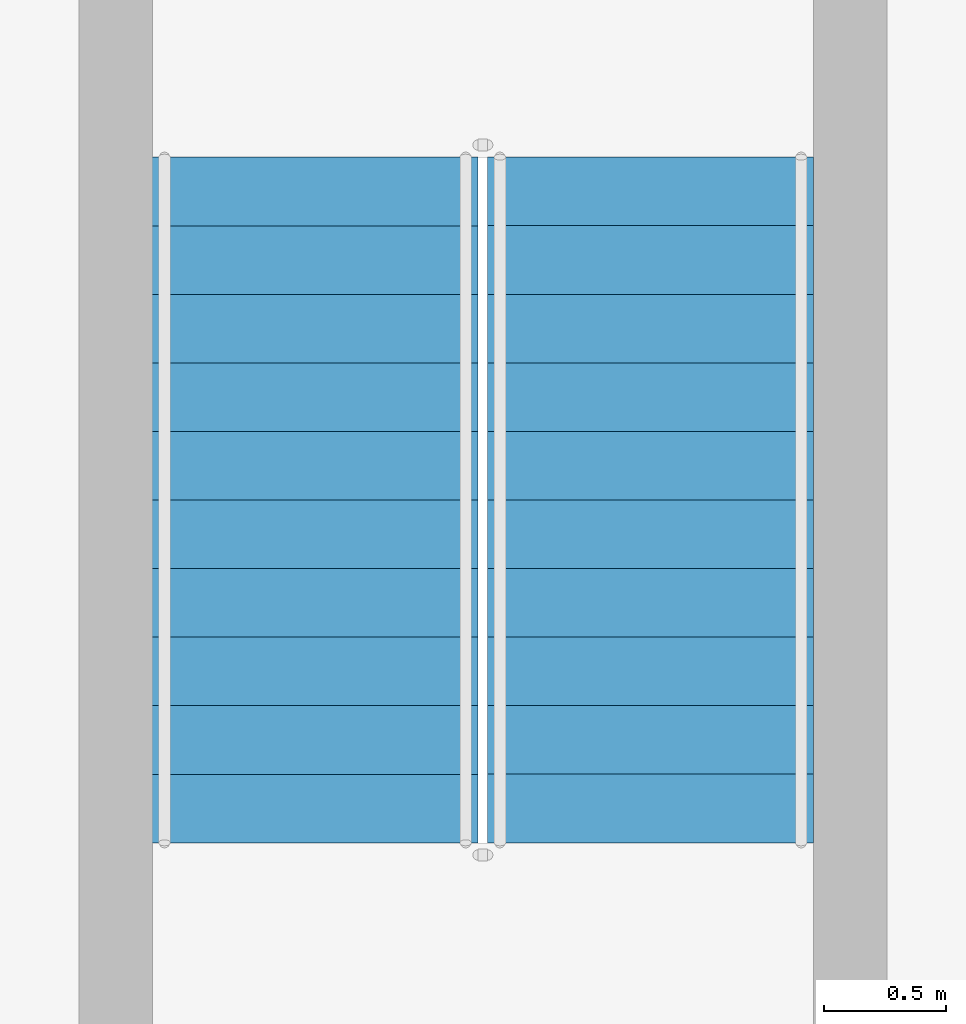
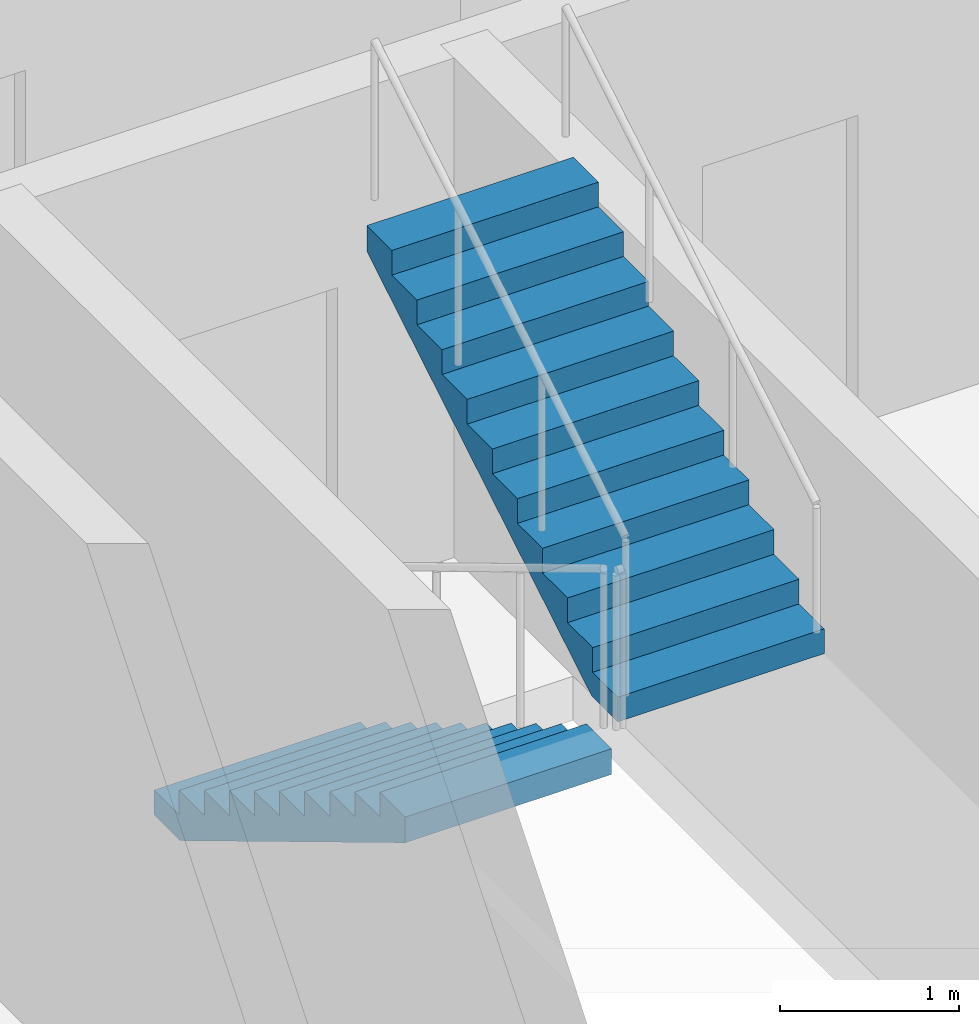
# One storey, part 15 of 22: 2 stair flights, 1 element without a shape of its own.
"""IFC4 building model written with IfcOpenShell, lengths in metres."""

from ifc_helpers import new_model, si_unit, direction, frame, origin, place, context, subcontext, project, spatial, triangles, source, transform, mapped, material, type_object, element, aggregate, save


model = new_model("IFC4")

# Units and contexts
model_context = context("Model", 3, precision=1e-05, world=origin(), true_north=direction((0.0, 1.0)))
body_context = subcontext(model_context, "Body", "Model", "MODEL_VIEW")
ifc_project = project(units=[si_unit("LENGTHUNIT", "METRE"), si_unit("AREAUNIT", "SQUARE_METRE"), si_unit("VOLUMEUNIT", "CUBIC_METRE"), si_unit("PLANEANGLEUNIT", "RADIAN"), si_unit("MASSUNIT", "GRAM", prefix="KILO")], contexts=[model_context])

# Site, building, storey
site_placement = place(None, origin())
site = spatial("IfcSite", under=ifc_project, at=site_placement, CompositionType="ELEMENT")
building_placement = place(site_placement, origin())
building = spatial("IfcBuilding", under=site, at=building_placement, Name="Ogive Portal Towers", CompositionType="ELEMENT")
storey_placement = place(building_placement, frame((0.0, 0.0, 131.5)))
storey = spatial("IfcBuildingStorey", under=building, at=storey_placement, Name="L32", CompositionType="ELEMENT", Elevation=131.5)

# Stair, stair flights
ifc_material = material(Name="Concrete C40/50", Category="concrete")
stair_type = type_object("IfcStairType", Name="INT-STAIR", PredefinedType="HALF_TURN_STAIR", material=ifc_material)
stair_placement = place(storey_placement, origin())
stair = element("IfcStair", 1, at=stair_placement, inside=storey, type_object=stair_type, Name="L32 Exit Stair ST-A4", PredefinedType="HALF_TURN_STAIR")
stair_flight_type = type_object("IfcStairFlightType", Name="INT-FLIGHT", PredefinedType="STRAIGHT", material=ifc_material)
shared_shape = source(origin(), body_context, "Body", "Tessellation", [
    triangles([(0.0, -0.6650390625, 0.0), (0.0, -0.384765625, 0.0), (0.0, -0.197021484375, 0.0), (0.0, -0.0830078125, 0.0), (0.0, -0.024658203125, 0.0), (0.0, -0.003173828125, 0.0), (0.0, 0.0, 0.0), (0.0, 0.003173828125, 0.0), (0.0, 0.024658203125, 0.0), (0.0, 0.0830078125, 0.0), (0.0, 0.197021484375, 0.0), (0.0, 0.384765625, 0.0), (0.0, 0.6650390625, 0.0), (0.0, -0.6650390625, 0.168212890625), (0.0, -0.384765625, 0.168212890625), (0.0, -0.197021484375, 0.168212890625), (0.0, -0.0830078125, 0.168212890625), (0.0, -0.024658203125, 0.168212890625), (0.0, -0.003173828125, 0.168212890625), (0.0, 0.0, 0.168212890625), (0.0, 0.003173828125, 0.168212890625), (0.0, 0.024658203125, 0.168212890625), (0.0, 0.0830078125, 0.168212890625), (0.0, 0.197021484375, 0.168212890625), (0.0, 0.384765625, 0.168212890625), (0.0, 0.6650390625, 0.168212890625), (0.280029296875, -0.6650390625, 0.168212890625), (0.280029296875, -0.384765625, 0.168212890625), (0.280029296875, -0.197021484375, 0.168212890625), (0.280029296875, -0.0830078125, 0.168212890625), (0.280029296875, -0.024658203125, 0.168212890625), (0.280029296875, -0.003173828125, 0.168212890625), (0.280029296875, 0.0, 0.168212890625), (0.280029296875, 0.003173828125, 0.168212890625), (0.280029296875, 0.024658203125, 0.168212890625), (0.280029296875, 0.0830078125, 0.168212890625), (0.280029296875, 0.197021484375, 0.168212890625), (0.280029296875, 0.384765625, 0.168212890625), (0.280029296875, 0.6650390625, 0.168212890625), (0.280029296875, -0.6650390625, 0.33642578125), (0.280029296875, -0.384765625, 0.33642578125), (0.280029296875, -0.197021484375, 0.33642578125), (0.280029296875, -0.0830078125, 0.33642578125), (0.280029296875, -0.024658203125, 0.33642578125), (0.280029296875, -0.003173828125, 0.33642578125), (0.280029296875, 0.0, 0.33642578125), (0.280029296875, 0.003173828125, 0.33642578125), (0.280029296875, 0.024658203125, 0.33642578125), (0.280029296875, 0.0830078125, 0.33642578125), (0.280029296875, 0.197021484375, 0.33642578125), (0.280029296875, 0.384765625, 0.33642578125), (0.280029296875, 0.6650390625, 0.33642578125), (0.56005859375, -0.6650390625, 0.33642578125), (0.56005859375, -0.384765625, 0.33642578125), (0.56005859375, -0.197021484375, 0.33642578125), (0.56005859375, -0.0830078125, 0.33642578125), (0.56005859375, -0.024658203125, 0.33642578125), (0.56005859375, -0.003173828125, 0.33642578125), (0.56005859375, 0.0, 0.33642578125), (0.56005859375, 0.003173828125, 0.33642578125), (0.56005859375, 0.024658203125, 0.33642578125), (0.56005859375, 0.0830078125, 0.33642578125), (0.56005859375, 0.197021484375, 0.33642578125), (0.56005859375, 0.384765625, 0.33642578125), (0.56005859375, 0.6650390625, 0.33642578125), (0.56005859375, -0.6650390625, 0.504638671875), (0.56005859375, -0.384765625, 0.504638671875), (0.56005859375, -0.197021484375, 0.504638671875), (0.56005859375, -0.0830078125, 0.504638671875), (0.56005859375, -0.024658203125, 0.504638671875), (0.56005859375, -0.003173828125, 0.504638671875), (0.56005859375, 0.0, 0.504638671875), (0.56005859375, 0.003173828125, 0.504638671875), (0.56005859375, 0.024658203125, 0.504638671875), (0.56005859375, 0.0830078125, 0.504638671875), (0.56005859375, 0.197021484375, 0.504638671875), (0.56005859375, 0.384765625, 0.504638671875), (0.56005859375, 0.6650390625, 0.504638671875), (0.840087890625, -0.6650390625, 0.504638671875), (0.840087890625, -0.384765625, 0.504638671875), (0.840087890625, -0.197021484375, 0.504638671875), (0.840087890625, -0.0830078125, 0.504638671875), (0.840087890625, -0.024658203125, 0.504638671875), (0.840087890625, -0.003173828125, 0.504638671875), (0.840087890625, 0.0, 0.504638671875), (0.840087890625, 0.003173828125, 0.504638671875), (0.840087890625, 0.024658203125, 0.504638671875), (0.840087890625, 0.0830078125, 0.504638671875), (0.840087890625, 0.197021484375, 0.504638671875), (0.840087890625, 0.384765625, 0.504638671875), (0.840087890625, 0.6650390625, 0.504638671875), (0.840087890625, -0.6650390625, 0.672607421875), (0.840087890625, -0.384765625, 0.672607421875), (0.840087890625, -0.197021484375, 0.672607421875), (0.840087890625, -0.0830078125, 0.672607421875), (0.840087890625, -0.024658203125, 0.672607421875), (0.840087890625, -0.003173828125, 0.672607421875), (0.840087890625, 0.0, 0.672607421875), (0.840087890625, 0.003173828125, 0.672607421875), (0.840087890625, 0.024658203125, 0.672607421875), (0.840087890625, 0.0830078125, 0.672607421875), (0.840087890625, 0.197021484375, 0.672607421875), (0.840087890625, 0.384765625, 0.672607421875), (0.840087890625, 0.6650390625, 0.672607421875), (1.1201171875, -0.6650390625, 0.672607421875), (1.1201171875, -0.384765625, 0.672607421875), (1.1201171875, -0.197021484375, 0.672607421875), (1.1201171875, -0.0830078125, 0.672607421875), (1.1201171875, -0.024658203125, 0.672607421875), (1.1201171875, -0.003173828125, 0.672607421875), (1.1201171875, 0.0, 0.672607421875), (1.1201171875, 0.003173828125, 0.672607421875), (1.1201171875, 0.024658203125, 0.672607421875), (1.1201171875, 0.0830078125, 0.672607421875), (1.1201171875, 0.197021484375, 0.672607421875), (1.1201171875, 0.384765625, 0.672607421875), (1.1201171875, 0.6650390625, 0.672607421875), (1.1201171875, -0.6650390625, 0.8408203125), (1.1201171875, -0.384765625, 0.8408203125), (1.1201171875, -0.197021484375, 0.8408203125), (1.1201171875, -0.0830078125, 0.8408203125), (1.1201171875, -0.024658203125, 0.8408203125), (1.1201171875, -0.003173828125, 0.8408203125), (1.1201171875, 0.0, 0.8408203125), (1.1201171875, 0.003173828125, 0.8408203125), (1.1201171875, 0.024658203125, 0.8408203125), (1.1201171875, 0.0830078125, 0.8408203125), (1.1201171875, 0.197021484375, 0.8408203125), (1.1201171875, 0.384765625, 0.8408203125), (1.1201171875, 0.6650390625, 0.8408203125), (1.39990234375, -0.6650390625, 0.8408203125), (1.39990234375, -0.384765625, 0.8408203125), (1.39990234375, -0.197021484375, 0.8408203125), (1.39990234375, -0.0830078125, 0.8408203125), (1.39990234375, -0.024658203125, 0.8408203125), (1.39990234375, -0.003173828125, 0.8408203125), (1.39990234375, 0.0, 0.8408203125), (1.39990234375, 0.003173828125, 0.8408203125), (1.39990234375, 0.024658203125, 0.8408203125), (1.39990234375, 0.0830078125, 0.8408203125), (1.39990234375, 0.197021484375, 0.8408203125), (1.39990234375, 0.384765625, 0.8408203125), (1.39990234375, 0.6650390625, 0.8408203125), (1.39990234375, -0.6650390625, 1.009033203125), (1.39990234375, -0.384765625, 1.009033203125), (1.39990234375, -0.197021484375, 1.009033203125), (1.39990234375, -0.0830078125, 1.009033203125), (1.39990234375, -0.024658203125, 1.009033203125), (1.39990234375, -0.003173828125, 1.009033203125), (1.39990234375, 0.0, 1.009033203125), (1.39990234375, 0.003173828125, 1.009033203125), (1.39990234375, 0.024658203125, 1.009033203125), (1.39990234375, 0.0830078125, 1.009033203125), (1.39990234375, 0.197021484375, 1.009033203125), (1.39990234375, 0.384765625, 1.009033203125), (1.39990234375, 0.6650390625, 1.009033203125), (1.679931640625, -0.6650390625, 1.009033203125), (1.679931640625, -0.384765625, 1.009033203125), (1.679931640625, -0.197021484375, 1.009033203125), (1.679931640625, -0.0830078125, 1.009033203125), (1.679931640625, -0.024658203125, 1.009033203125), (1.679931640625, -0.003173828125, 1.009033203125), (1.679931640625, 0.0, 1.009033203125), (1.679931640625, 0.003173828125, 1.009033203125), (1.679931640625, 0.024658203125, 1.009033203125), (1.679931640625, 0.0830078125, 1.009033203125), (1.679931640625, 0.197021484375, 1.009033203125), (1.679931640625, 0.384765625, 1.009033203125), (1.679931640625, 0.6650390625, 1.009033203125), (1.679931640625, -0.6650390625, 1.17724609375), (1.679931640625, -0.384765625, 1.17724609375), (1.679931640625, -0.197021484375, 1.17724609375), (1.679931640625, -0.0830078125, 1.17724609375), (1.679931640625, -0.024658203125, 1.17724609375), (1.679931640625, -0.003173828125, 1.17724609375), (1.679931640625, 0.0, 1.17724609375), (1.679931640625, 0.003173828125, 1.17724609375), (1.679931640625, 0.024658203125, 1.17724609375), (1.679931640625, 0.0830078125, 1.17724609375), (1.679931640625, 0.197021484375, 1.17724609375), (1.679931640625, 0.384765625, 1.17724609375), (1.679931640625, 0.6650390625, 1.17724609375), (1.9599609375, -0.6650390625, 1.17724609375), (1.9599609375, -0.384765625, 1.17724609375), (1.9599609375, -0.197021484375, 1.17724609375), (1.9599609375, -0.0830078125, 1.17724609375), (1.9599609375, -0.024658203125, 1.17724609375), (1.9599609375, -0.003173828125, 1.17724609375), (1.9599609375, 0.0, 1.17724609375), (1.9599609375, 0.003173828125, 1.17724609375), (1.9599609375, 0.024658203125, 1.17724609375), (1.9599609375, 0.0830078125, 1.17724609375), (1.9599609375, 0.197021484375, 1.17724609375), (1.9599609375, 0.384765625, 1.17724609375), (1.9599609375, 0.6650390625, 1.17724609375), (1.9599609375, -0.6650390625, 1.345458984375), (1.9599609375, -0.384765625, 1.345458984375), (1.9599609375, -0.197021484375, 1.345458984375), (1.9599609375, -0.0830078125, 1.345458984375), (1.9599609375, -0.024658203125, 1.345458984375), (1.9599609375, -0.003173828125, 1.345458984375), (1.9599609375, 0.0, 1.345458984375), (1.9599609375, 0.003173828125, 1.345458984375), (1.9599609375, 0.024658203125, 1.345458984375), (1.9599609375, 0.0830078125, 1.345458984375), (1.9599609375, 0.197021484375, 1.345458984375), (1.9599609375, 0.384765625, 1.345458984375), (1.9599609375, 0.6650390625, 1.345458984375), (2.239990234375, -0.6650390625, 1.345458984375), (2.239990234375, -0.384765625, 1.345458984375), (2.239990234375, -0.197021484375, 1.345458984375), (2.239990234375, -0.0830078125, 1.345458984375), (2.239990234375, -0.024658203125, 1.345458984375), (2.239990234375, -0.003173828125, 1.345458984375), (2.239990234375, 0.0, 1.345458984375), (2.239990234375, 0.003173828125, 1.345458984375), (2.239990234375, 0.024658203125, 1.345458984375), (2.239990234375, 0.0830078125, 1.345458984375), (2.239990234375, 0.197021484375, 1.345458984375), (2.239990234375, 0.384765625, 1.345458984375), (2.239990234375, 0.6650390625, 1.345458984375), (2.239990234375, -0.6650390625, 1.513671875), (2.239990234375, -0.384765625, 1.513671875), (2.239990234375, -0.197021484375, 1.513671875), (2.239990234375, -0.0830078125, 1.513671875), (2.239990234375, -0.024658203125, 1.513671875), (2.239990234375, -0.003173828125, 1.513671875), (2.239990234375, 0.0, 1.513671875), (2.239990234375, 0.003173828125, 1.513671875), (2.239990234375, 0.024658203125, 1.513671875), (2.239990234375, 0.0830078125, 1.513671875), (2.239990234375, 0.197021484375, 1.513671875), (2.239990234375, 0.384765625, 1.513671875), (2.239990234375, 0.6650390625, 1.513671875), (2.52001953125, -0.6650390625, 1.513671875), (2.52001953125, -0.384765625, 1.513671875), (2.52001953125, -0.197021484375, 1.513671875), (2.52001953125, -0.0830078125, 1.513671875), (2.52001953125, -0.024658203125, 1.513671875), (2.52001953125, -0.003173828125, 1.513671875), (2.52001953125, 0.0, 1.513671875), (2.52001953125, 0.003173828125, 1.513671875), (2.52001953125, 0.024658203125, 1.513671875), (2.52001953125, 0.0830078125, 1.513671875), (2.52001953125, 0.197021484375, 1.513671875), (2.52001953125, 0.384765625, 1.513671875), (2.52001953125, 0.6650390625, 1.513671875), (2.52001953125, -0.6650390625, 1.681884765625), (2.52001953125, -0.384765625, 1.681884765625), (2.52001953125, -0.197021484375, 1.681884765625), (2.52001953125, -0.0830078125, 1.681884765625), (2.52001953125, -0.024658203125, 1.681884765625), (2.52001953125, -0.003173828125, 1.681884765625), (2.52001953125, 0.0, 1.681884765625), (2.52001953125, 0.003173828125, 1.681884765625), (2.52001953125, 0.024658203125, 1.681884765625), (2.52001953125, 0.0830078125, 1.681884765625), (2.52001953125, 0.197021484375, 1.681884765625), (2.52001953125, 0.384765625, 1.681884765625), (2.52001953125, 0.6650390625, 1.681884765625), (2.800048828125, -0.6650390625, 1.681884765625), (2.800048828125, -0.384765625, 1.681884765625), (2.800048828125, -0.197021484375, 1.681884765625), (2.800048828125, -0.0830078125, 1.681884765625), (2.800048828125, -0.024658203125, 1.681884765625), (2.800048828125, -0.003173828125, 1.681884765625), (2.800048828125, 0.0, 1.681884765625), (2.800048828125, 0.003173828125, 1.681884765625), (2.800048828125, 0.024658203125, 1.681884765625), (2.800048828125, 0.0830078125, 1.681884765625), (2.800048828125, 0.197021484375, 1.681884765625), (2.800048828125, 0.384765625, 1.681884765625), (2.800048828125, 0.6650390625, 1.681884765625), (2.800048828125, -0.6650390625, 1.5068359375), (2.800048828125, -0.384765625, 1.5068359375), (2.800048828125, -0.197021484375, 1.5068359375), (2.800048828125, -0.0830078125, 1.5068359375), (2.800048828125, -0.024658203125, 1.5068359375), (2.800048828125, -0.003173828125, 1.5068359375), (2.800048828125, 0.0, 1.5068359375), (2.800048828125, 0.003173828125, 1.5068359375), (2.800048828125, 0.024658203125, 1.5068359375), (2.800048828125, 0.0830078125, 1.5068359375), (2.800048828125, 0.197021484375, 1.5068359375), (2.800048828125, 0.384765625, 1.5068359375), (2.800048828125, 0.6650390625, 1.5068359375), (0.291015625, -0.6650390625, 0.0), (0.291015625, -0.384765625, 0.0), (0.291015625, -0.197021484375, 0.0), (0.291015625, -0.0830078125, 0.0), (0.291015625, -0.024658203125, 0.0), (0.291015625, -0.003173828125, 0.0), (0.291015625, 0.0, 0.0), (0.291015625, 0.003173828125, 0.0), (0.291015625, 0.024658203125, 0.0), (0.291015625, 0.0830078125, 0.0), (0.291015625, 0.197021484375, 0.0), (0.291015625, 0.384765625, 0.0), (0.291015625, 0.6650390625, 0.0)], [[1, 14, 15], [1, 15, 2], [2, 15, 16], [2, 16, 3], [3, 16, 17], [3, 17, 4], [4, 17, 18], [4, 18, 5], [5, 18, 19], [5, 19, 6], [6, 19, 20], [6, 20, 7], [7, 20, 21], [7, 21, 8], [8, 21, 22], [8, 22, 9], [9, 22, 23], [9, 23, 10], [10, 23, 24], [10, 24, 11], [11, 24, 25], [11, 25, 12], [12, 25, 26], [12, 26, 13], [14, 27, 28], [14, 28, 15], [15, 28, 29], [15, 29, 16], [16, 29, 30], [16, 30, 17], [17, 30, 31], [17, 31, 18], [18, 31, 32], [18, 32, 19], [19, 32, 33], [19, 33, 20], [20, 33, 34], [20, 34, 21], [21, 34, 35], [21, 35, 22], [22, 35, 36], [22, 36, 23], [23, 36, 37], [23, 37, 24], [24, 37, 38], [24, 38, 25], [25, 38, 39], [25, 39, 26], [27, 40, 41], [27, 41, 28], [28, 41, 42], [28, 42, 29], [29, 42, 43], [29, 43, 30], [30, 43, 44], [30, 44, 31], [31, 44, 45], [31, 45, 32], [32, 45, 46], [32, 46, 33], [33, 46, 47], [33, 47, 34], [34, 47, 48], [34, 48, 35], [35, 48, 49], [35, 49, 36], [36, 49, 50], [36, 50, 37], [37, 50, 51], [37, 51, 38], [38, 51, 52], [38, 52, 39], [40, 53, 54], [40, 54, 41], [41, 54, 55], [41, 55, 42], [42, 55, 56], [42, 56, 43], [43, 56, 57], [43, 57, 44], [44, 57, 58], [44, 58, 45], [45, 58, 59], [45, 59, 46], [46, 59, 60], [46, 60, 47], [47, 60, 61], [47, 61, 48], [48, 61, 62], [48, 62, 49], [49, 62, 63], [49, 63, 50], [50, 63, 64], [50, 64, 51], [51, 64, 65], [51, 65, 52], [53, 66, 67], [53, 67, 54], [54, 67, 68], [54, 68, 55], [55, 68, 69], [55, 69, 56], [56, 69, 70], [56, 70, 57], [57, 70, 71], [57, 71, 58], [58, 71, 72], [58, 72, 59], [59, 72, 73], [59, 73, 60], [60, 73, 74], [60, 74, 61], [61, 74, 75], [61, 75, 62], [62, 75, 76], [62, 76, 63], [63, 76, 77], [63, 77, 64], [64, 77, 78], [64, 78, 65], [66, 79, 80], [66, 80, 67], [67, 80, 81], [67, 81, 68], [68, 81, 82], [68, 82, 69], [69, 82, 83], [69, 83, 70], [70, 83, 84], [70, 84, 71], [71, 84, 85], [71, 85, 72], [72, 85, 86], [72, 86, 73], [73, 86, 87], [73, 87, 74], [74, 87, 88], [74, 88, 75], [75, 88, 89], [75, 89, 76], [76, 89, 90], [76, 90, 77], [77, 90, 91], [77, 91, 78], [79, 92, 93], [79, 93, 80], [80, 93, 94], [80, 94, 81], [81, 94, 95], [81, 95, 82], [82, 95, 96], [82, 96, 83], [83, 96, 97], [83, 97, 84], [84, 97, 98], [84, 98, 85], [85, 98, 99], [85, 99, 86], [86, 99, 100], [86, 100, 87], [87, 100, 101], [87, 101, 88], [88, 101, 102], [88, 102, 89], [89, 102, 103], [89, 103, 90], [90, 103, 104], [90, 104, 91], [92, 105, 106], [92, 106, 93], [93, 106, 107], [93, 107, 94], [94, 107, 108], [94, 108, 95], [95, 108, 109], [95, 109, 96], [96, 109, 110], [96, 110, 97], [97, 110, 111], [97, 111, 98], [98, 111, 112], [98, 112, 99], [99, 112, 113], [99, 113, 100], [100, 113, 114], [100, 114, 101], [101, 114, 115], [101, 115, 102], [102, 115, 116], [102, 116, 103], [103, 116, 117], [103, 117, 104], [105, 118, 119], [105, 119, 106], [106, 119, 120], [106, 120, 107], [107, 120, 121], [107, 121, 108], [108, 121, 122], [108, 122, 109], [109, 122, 123], [109, 123, 110], [110, 123, 124], [110, 124, 111], [111, 124, 125], [111, 125, 112], [112, 125, 126], [112, 126, 113], [113, 126, 127], [113, 127, 114], [114, 127, 128], [114, 128, 115], [115, 128, 129], [115, 129, 116], [116, 129, 130], [116, 130, 117], [118, 131, 132], [118, 132, 119], [119, 132, 133], [119, 133, 120], [120, 133, 134], [120, 134, 121], [121, 134, 135], [121, 135, 122], [122, 135, 136], [122, 136, 123], [123, 136, 137], [123, 137, 124], [124, 137, 138], [124, 138, 125], [125, 138, 139], [125, 139, 126], [126, 139, 140], [126, 140, 127], [127, 140, 141], [127, 141, 128], [128, 141, 142], [128, 142, 129], [129, 142, 143], [129, 143, 130], [131, 144, 145], [131, 145, 132], [132, 145, 146], [132, 146, 133], [133, 146, 147], [133, 147, 134], [134, 147, 148], [134, 148, 135], [135, 148, 149], [135, 149, 136], [136, 149, 150], [136, 150, 137], [137, 150, 151], [137, 151, 138], [138, 151, 152], [138, 152, 139], [139, 152, 153], [139, 153, 140], [140, 153, 154], [140, 154, 141], [141, 154, 155], [141, 155, 142], [142, 155, 156], [142, 156, 143], [144, 157, 158], [144, 158, 145], [145, 158, 159], [145, 159, 146], [146, 159, 160], [146, 160, 147], [147, 160, 161], [147, 161, 148], [148, 161, 162], [148, 162, 149], [149, 162, 163], [149, 163, 150], [150, 163, 164], [150, 164, 151], [151, 164, 165], [151, 165, 152], [152, 165, 166], [152, 166, 153], [153, 166, 167], [153, 167, 154], [154, 167, 168], [154, 168, 155], [155, 168, 169], [155, 169, 156], [157, 170, 171], [157, 171, 158], [158, 171, 172], [158, 172, 159], [159, 172, 173], [159, 173, 160], [160, 173, 174], [160, 174, 161], [161, 174, 175], [161, 175, 162], [162, 175, 176], [162, 176, 163], [163, 176, 177], [163, 177, 164], [164, 177, 178], [164, 178, 165], [165, 178, 179], [165, 179, 166], [166, 179, 180], [166, 180, 167], [167, 180, 181], [167, 181, 168], [168, 181, 182], [168, 182, 169], [170, 183, 184], [170, 184, 171], [171, 184, 185], [171, 185, 172], [172, 185, 186], [172, 186, 173], [173, 186, 187], [173, 187, 174], [174, 187, 188], [174, 188, 175], [175, 188, 189], [175, 189, 176], [176, 189, 190], [176, 190, 177], [177, 190, 191], [177, 191, 178], [178, 191, 192], [178, 192, 179], [179, 192, 193], [179, 193, 180], [180, 193, 194], [180, 194, 181], [181, 194, 195], [181, 195, 182], [183, 196, 197], [183, 197, 184], [184, 197, 198], [184, 198, 185], [185, 198, 199], [185, 199, 186], [186, 199, 200], [186, 200, 187], [187, 200, 201], [187, 201, 188], [188, 201, 202], [188, 202, 189], [189, 202, 203], [189, 203, 190], [190, 203, 204], [190, 204, 191], [191, 204, 205], [191, 205, 192], [192, 205, 206], [192, 206, 193], [193, 206, 207], [193, 207, 194], [194, 207, 208], [194, 208, 195], [196, 209, 210], [196, 210, 197], [197, 210, 211], [197, 211, 198], [198, 211, 212], [198, 212, 199], [199, 212, 213], [199, 213, 200], [200, 213, 214], [200, 214, 201], [201, 214, 215], [201, 215, 202], [202, 215, 216], [202, 216, 203], [203, 216, 217], [203, 217, 204], [204, 217, 218], [204, 218, 205], [205, 218, 219], [205, 219, 206], [206, 219, 220], [206, 220, 207], [207, 220, 221], [207, 221, 208], [209, 222, 223], [209, 223, 210], [210, 223, 224], [210, 224, 211], [211, 224, 225], [211, 225, 212], [212, 225, 226], [212, 226, 213], [213, 226, 227], [213, 227, 214], [214, 227, 228], [214, 228, 215], [215, 228, 229], [215, 229, 216], [216, 229, 230], [216, 230, 217], [217, 230, 231], [217, 231, 218], [218, 231, 232], [218, 232, 219], [219, 232, 233], [219, 233, 220], [220, 233, 234], [220, 234, 221], [222, 235, 236], [222, 236, 223], [223, 236, 237], [223, 237, 224], [224, 237, 238], [224, 238, 225], [225, 238, 239], [225, 239, 226], [226, 239, 240], [226, 240, 227], [227, 240, 241], [227, 241, 228], [228, 241, 242], [228, 242, 229], [229, 242, 243], [229, 243, 230], [230, 243, 244], [230, 244, 231], [231, 244, 245], [231, 245, 232], [232, 245, 246], [232, 246, 233], [233, 246, 247], [233, 247, 234], [235, 248, 249], [235, 249, 236], [236, 249, 250], [236, 250, 237], [237, 250, 251], [237, 251, 238], [238, 251, 252], [238, 252, 239], [239, 252, 253], [239, 253, 240], [240, 253, 254], [240, 254, 241], [241, 254, 255], [241, 255, 242], [242, 255, 256], [242, 256, 243], [243, 256, 257], [243, 257, 244], [244, 257, 258], [244, 258, 245], [245, 258, 259], [245, 259, 246], [246, 259, 260], [246, 260, 247], [248, 261, 262], [248, 262, 249], [249, 262, 263], [249, 263, 250], [250, 263, 264], [250, 264, 251], [251, 264, 265], [251, 265, 252], [252, 265, 266], [252, 266, 253], [253, 266, 267], [253, 267, 254], [254, 267, 268], [254, 268, 255], [255, 268, 269], [255, 269, 256], [256, 269, 270], [256, 270, 257], [257, 270, 271], [257, 271, 258], [258, 271, 272], [258, 272, 259], [259, 272, 273], [259, 273, 260], [261, 274, 275], [261, 275, 262], [262, 275, 276], [262, 276, 263], [263, 276, 277], [263, 277, 264], [264, 277, 278], [264, 278, 265], [265, 278, 279], [265, 279, 266], [266, 279, 280], [266, 280, 267], [267, 280, 281], [267, 281, 268], [268, 281, 282], [268, 282, 269], [269, 282, 283], [269, 283, 270], [270, 283, 284], [270, 284, 271], [271, 284, 285], [271, 285, 272], [272, 285, 286], [272, 286, 273], [274, 287, 288], [274, 288, 275], [275, 288, 289], [275, 289, 276], [276, 289, 290], [276, 290, 277], [277, 290, 291], [277, 291, 278], [278, 291, 292], [278, 292, 279], [279, 292, 293], [279, 293, 280], [280, 293, 294], [280, 294, 281], [281, 294, 295], [281, 295, 282], [282, 295, 296], [282, 296, 283], [283, 296, 297], [283, 297, 284], [284, 297, 298], [284, 298, 285], [285, 298, 299], [285, 299, 286], [287, 1, 2], [287, 2, 288], [288, 2, 3], [288, 3, 289], [289, 3, 4], [289, 4, 290], [290, 4, 5], [290, 5, 291], [291, 5, 6], [291, 6, 292], [292, 6, 7], [292, 7, 293], [293, 7, 8], [293, 8, 294], [294, 8, 9], [294, 9, 295], [295, 9, 10], [295, 10, 296], [296, 10, 11], [296, 11, 297], [297, 11, 12], [297, 12, 298], [298, 12, 13], [298, 13, 299], [1, 287, 274], [13, 286, 299], [274, 261, 248], [286, 260, 273], [274, 248, 235], [286, 247, 260], [274, 235, 222], [286, 234, 247], [274, 222, 209], [286, 221, 234], [209, 196, 183], [221, 195, 208], [274, 209, 183], [286, 195, 221], [183, 170, 157], [195, 169, 182], [274, 183, 157], [286, 169, 195], [157, 144, 131], [169, 143, 156], [274, 157, 131], [286, 143, 169], [131, 118, 105], [143, 117, 130], [274, 131, 105], [286, 117, 143], [1, 274, 105], [13, 117, 286], [105, 92, 79], [117, 91, 104], [79, 66, 53], [91, 65, 78], [105, 79, 53], [117, 65, 91], [53, 40, 27], [65, 39, 52], [105, 53, 27], [117, 39, 65], [1, 105, 27], [13, 39, 117], [27, 14, 1], [39, 13, 26]], closed=True),
])
stair_flight_1_placement = place(storey_placement, frame((87.6650390625, 29.169921875, 0.0), z_axis=(0.0, 0.0, 1.0), x_axis=(0.0, -1.0, 0.0)))
stair_flight_1 = element("IfcStairFlight", 2, at=stair_flight_1_placement, type_object=stair_flight_type, Name="ST-A4 flight 1", NumberOfRisers=11, NumberOfTreads=10, PredefinedType="STRAIGHT", RiserHeight=0.168181818, TreadLength=0.28, context=body_context, shape_type="MappedRepresentation", body=[
    mapped(shared_shape, transform((0.0, 0.0, 0.0), scale=1.0)),
])
stair_flight_2_placement = place(storey_placement, frame((89.034912109375, 26.3701171875, 1.85009765625), z_axis=(0.0, 0.0, 1.0), x_axis=(0.0, 1.0, 0.0)))
stair_flight_2 = element("IfcStairFlight", 3, at=stair_flight_2_placement, type_object=stair_flight_type, Name="ST-A4 flight 2", NumberOfRisers=11, NumberOfTreads=10, PredefinedType="STRAIGHT", RiserHeight=0.168181818, TreadLength=0.28, context=body_context, shape_type="MappedRepresentation", body=[
    mapped(shared_shape, transform((0.0, 0.0, 0.0), scale=1.0)),
])
aggregate(stair, [stair_flight_1, stair_flight_2])

save(model, "model.ifc")
